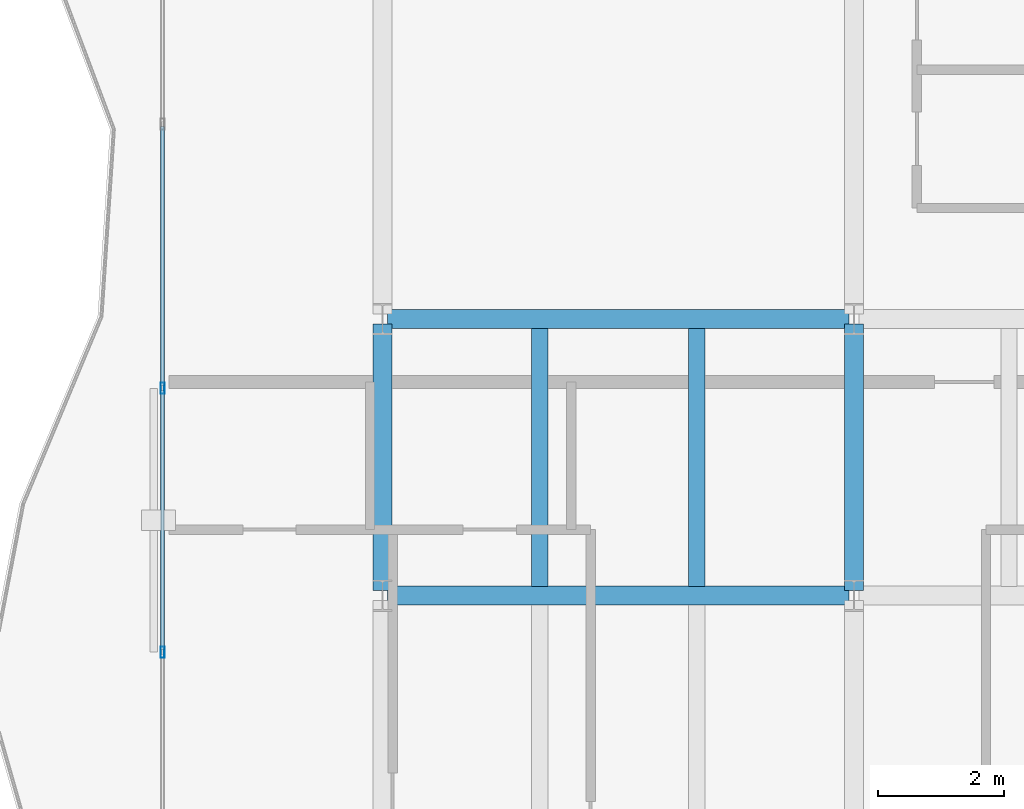
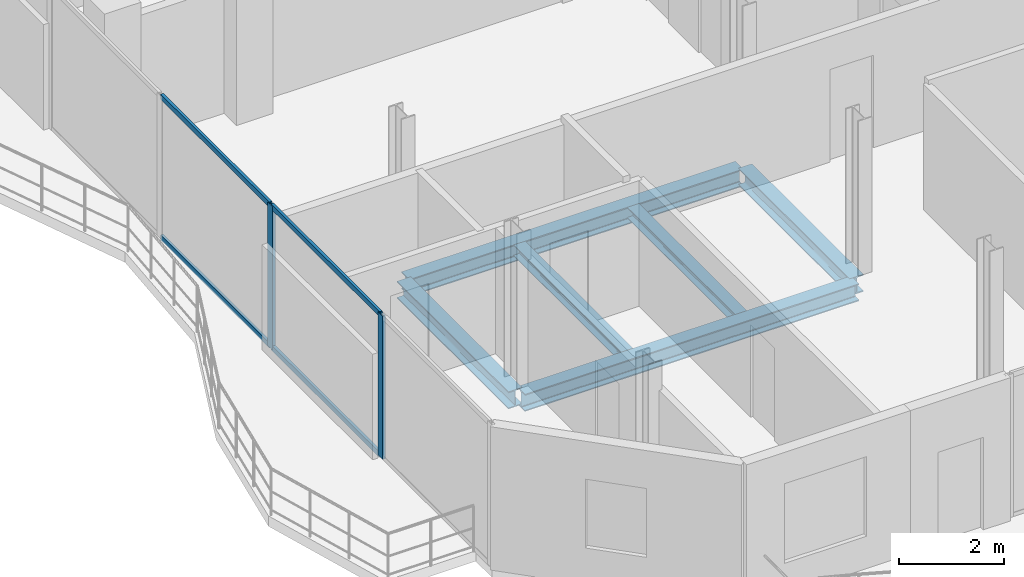
# One storey, part 5 of 23: 6 beams, 6 members, 1 element without a shape of its own.
"""IFC4 building model written with IfcOpenShell, lengths in metres."""

from ifc_helpers import new_model, si_unit, direction, frame, origin, origin_2d, place, context, subcontext, project, spatial, hollow_rectangle, i_section, extrude, material, layer, layer_set, material_profile, profile_set, type_object, element, aggregate, save


model = new_model("IFC4")

# Units and contexts
model_context = context("Model", 3, precision=1e-05, world=origin(), true_north=direction((0.0, 1.0)))
body_context = subcontext(model_context, "Body", "Model", "MODEL_VIEW")
ifc_project = project(units=[si_unit("LENGTHUNIT", "METRE"), si_unit("AREAUNIT", "SQUARE_METRE"), si_unit("VOLUMEUNIT", "CUBIC_METRE"), si_unit("PLANEANGLEUNIT", "RADIAN"), si_unit("MASSUNIT", "GRAM", prefix="KILO")], contexts=[model_context])

# Site, building, storey
site_placement = place(None, origin())
site = spatial("IfcSite", under=ifc_project, at=site_placement, CompositionType="ELEMENT")
building_placement = place(site_placement, origin())
building = spatial("IfcBuilding", under=site, at=building_placement, Name="Catumbela Crestline Tower", CompositionType="ELEMENT")
storey_placement = place(building_placement, frame((0.0, 0.0, 175.8)))
storey = spatial("IfcBuildingStorey", under=building, at=storey_placement, Name="L45", CompositionType="ELEMENT", Elevation=175.8)

# Beams
ifc_material_1 = material(Name="Structural steel S355J2", Category="steel")
ifc_material_profile_1 = material_profile(ifc_material_1, i_section(OverallWidth=0.3, OverallDepth=0.4, WebThickness=0.0135, FlangeThickness=0.024, FilletRadius=0.027, at=origin_2d()), Name="HEB 400")
ifc_profile_set_1 = profile_set([ifc_material_profile_1], Name="Structural steel S355J2")
beam_type_1 = type_object("IfcBeamType", Name="BG-HEB400", PredefinedType="BEAM", material=ifc_profile_set_1)
for number, where, z_axis, x_axis, name in (
    (1, (8.58, 13.6, -0.46), (1.0, 0.0, 0.0), (0.0, 1.0, 0.0), "L45 Beam BM-L45-WEW33"),
    (2, (8.58, 18.0, -0.46), (1.0, 0.0, 0.0), (0.0, 1.0, 0.0), "L45 Beam BM-L45-WEW35"),
):
    element("IfcBeam", number, at=place(storey_placement, frame(where, z_axis=z_axis, x_axis=x_axis)), inside=storey, type_object=beam_type_1, Name=name, PredefinedType="BEAM", context=body_context, shape_type="SweptSolid", body=[
        extrude(i_section(OverallWidth=0.3, OverallDepth=0.4, WebThickness=0.0135, FlangeThickness=0.024, FilletRadius=0.027, at=origin_2d()), origin(), (0.0, 0.0, 1.0), 7.34),
    ])
for number, where, z_axis, x_axis, name in (
    (3, (8.5, 13.68, -0.46), (0.0, 1.0, 0.0), (-1.0, 0.0, 0.0), "L45 Beam BM-L45-WNS38"),
    (4, (16.0, 13.68, -0.46), (0.0, 1.0, 0.0), (-1.0, 0.0, 0.0), "L45 Beam BM-L45-WNS41"),
):
    element("IfcBeam", number, at=place(storey_placement, frame(where, z_axis=z_axis, x_axis=x_axis)), inside=storey, type_object=beam_type_1, Name=name, PredefinedType="BEAM", context=body_context, shape_type="SweptSolid", body=[
        extrude(i_section(OverallWidth=0.3, OverallDepth=0.4, WebThickness=0.0135, FlangeThickness=0.024, FilletRadius=0.027, at=origin_2d()), origin(), (0.0, 0.0, 1.0), 4.24),
    ])
ifc_material_profile_2 = material_profile(ifc_material_1, i_section(OverallWidth=0.26, OverallDepth=0.25, WebThickness=0.0075, FlangeThickness=0.0125, FilletRadius=0.024, at=origin_2d()), Name="HEA 260")
ifc_profile_set_2 = profile_set([ifc_material_profile_2], Name="Structural steel S355J2")
beam_type_2 = type_object("IfcBeamType", Name="BJ-HEA260", PredefinedType="JOIST", material=ifc_profile_set_2)
for number, where, z_axis, x_axis, name in (
    (5, (11.0, 13.747, -0.385), (0.0, 1.0, 0.0), (-1.0, 0.0, 0.0), "L45 Joist JS-L45-WG46"),
    (6, (13.5, 13.747, -0.385), (0.0, 1.0, 0.0), (-1.0, 0.0, 0.0), "L45 Joist JS-L45-WG47"),
):
    element("IfcBeam", number, at=place(storey_placement, frame(where, z_axis=z_axis, x_axis=x_axis)), inside=storey, type_object=beam_type_2, Name=name, PredefinedType="JOIST", context=body_context, shape_type="SweptSolid", body=[
        extrude(i_section(OverallWidth=0.26, OverallDepth=0.25, WebThickness=0.0075, FlangeThickness=0.0125, FilletRadius=0.024, at=origin_2d()), origin(), (0.0, 0.0, 1.0), 4.106),
    ])

# Curtain wall, members
ifc_material_2 = material(Name="Aluminium alloy AW-6060-T66", Category="aluminium")
ifc_layer = layer(ifc_material_2, 0.18, Name="Aluminium alloy AW-6060-T66")
ifc_layer_set = layer_set([ifc_layer], Name="Aluminium alloy AW-6060-T66")
curtain_wall_type = type_object("IfcCurtainWallType", Name="CWU-Z3", PredefinedType="USERDEFINED", material=ifc_layer_set)
curtain_wall_placement = place(storey_placement, origin())
curtain_wall = element("IfcCurtainWall", 7, at=curtain_wall_placement, inside=storey, type_object=curtain_wall_type, Name="L45 Unitised Curtain Wall CW-L45-E9S2", ObjectType="UNITISED", PredefinedType="USERDEFINED")
ifc_material_profile_3 = material_profile(ifc_material_2, hollow_rectangle(XDim=0.065, YDim=0.18, WallThickness=0.004, at=origin_2d()), Name="ALU 180x65x4")
ifc_profile_set_3 = profile_set([ifc_material_profile_3], Name="Aluminium alloy AW-6060-T66")
member_type_1 = type_object("IfcMemberType", Name="MUL-180X65", PredefinedType="MULLION", material=ifc_profile_set_3)
member_1_placement = place(storey_placement, frame((5.0, 16.9, 0.0), z_axis=(0.0, 0.0, 1.0), x_axis=(1.0, 0.0, 0.0)))
member_1 = element("IfcMember", 8, at=member_1_placement, type_object=member_type_1, Name="CWU-Z3 mullion 5", PredefinedType="MULLION", context=body_context, shape_type="SweptSolid", body=[
    extrude(hollow_rectangle(XDim=0.065, YDim=0.18, WallThickness=0.004, at=origin_2d()), origin(), (0.0, 0.0, 1.0), 3.33),
])
member_2_placement = place(storey_placement, frame((5.0, 12.7, 0.0), z_axis=(0.0, 0.0, 1.0), x_axis=(1.0, 0.0, 0.0)))
member_2 = element("IfcMember", 9, at=member_2_placement, type_object=member_type_1, Name="CWU-Z3 mullion 6", PredefinedType="MULLION", context=body_context, shape_type="SweptSolid", body=[
    extrude(hollow_rectangle(XDim=0.065, YDim=0.18, WallThickness=0.004, at=origin_2d()), origin(), (0.0, 0.0, 1.0), 3.33),
])
ifc_material_profile_4 = material_profile(ifc_material_2, hollow_rectangle(XDim=0.06, YDim=0.12, WallThickness=0.0035, at=origin_2d()), Name="ALU 120x60x3.5")
ifc_profile_set_4 = profile_set([ifc_material_profile_4], Name="Aluminium alloy AW-6060-T66")
member_type_2 = type_object("IfcMemberType", Name="TRN-120X60", PredefinedType="USERDEFINED", material=ifc_profile_set_4)
member_3_placement = place(storey_placement, frame((5.0, 21.0675, 0.03), z_axis=(0.0, -1.0, 0.0), x_axis=(1.0, 0.0, 0.0)))
member_3 = element("IfcMember", 10, at=member_3_placement, type_object=member_type_2, Name="CWU-Z3 transom 4.1", ObjectType="TRANSOM", PredefinedType="USERDEFINED", context=body_context, shape_type="SweptSolid", body=[
    extrude(hollow_rectangle(XDim=0.06, YDim=0.12, WallThickness=0.0035, at=origin_2d()), origin(), (0.0, 0.0, 1.0), 4.135),
])
member_4_placement = place(storey_placement, frame((5.0, 21.0675, 3.3), z_axis=(0.0, -1.0, 0.0), x_axis=(1.0, 0.0, 0.0)))
member_4 = element("IfcMember", 11, at=member_4_placement, type_object=member_type_2, Name="CWU-Z3 transom 4.2", ObjectType="TRANSOM", PredefinedType="USERDEFINED", context=body_context, shape_type="SweptSolid", body=[
    extrude(hollow_rectangle(XDim=0.06, YDim=0.12, WallThickness=0.0035, at=origin_2d()), origin(), (0.0, 0.0, 1.0), 4.135),
])
member_5_placement = place(storey_placement, frame((5.0, 16.8675, 0.03), z_axis=(0.0, -1.0, 0.0), x_axis=(1.0, 0.0, 0.0)))
member_5 = element("IfcMember", 12, at=member_5_placement, type_object=member_type_2, Name="CWU-Z3 transom 5.1", ObjectType="TRANSOM", PredefinedType="USERDEFINED", context=body_context, shape_type="SweptSolid", body=[
    extrude(hollow_rectangle(XDim=0.06, YDim=0.12, WallThickness=0.0035, at=origin_2d()), origin(), (0.0, 0.0, 1.0), 4.135),
])
member_6_placement = place(storey_placement, frame((5.0, 16.8675, 3.3), z_axis=(0.0, -1.0, 0.0), x_axis=(1.0, 0.0, 0.0)))
member_6 = element("IfcMember", 13, at=member_6_placement, type_object=member_type_2, Name="CWU-Z3 transom 5.2", ObjectType="TRANSOM", PredefinedType="USERDEFINED", context=body_context, shape_type="SweptSolid", body=[
    extrude(hollow_rectangle(XDim=0.06, YDim=0.12, WallThickness=0.0035, at=origin_2d()), origin(), (0.0, 0.0, 1.0), 4.135),
])
aggregate(curtain_wall, [member_1, member_2, member_3, member_4, member_5, member_6])

save(model, "model.ifc")
